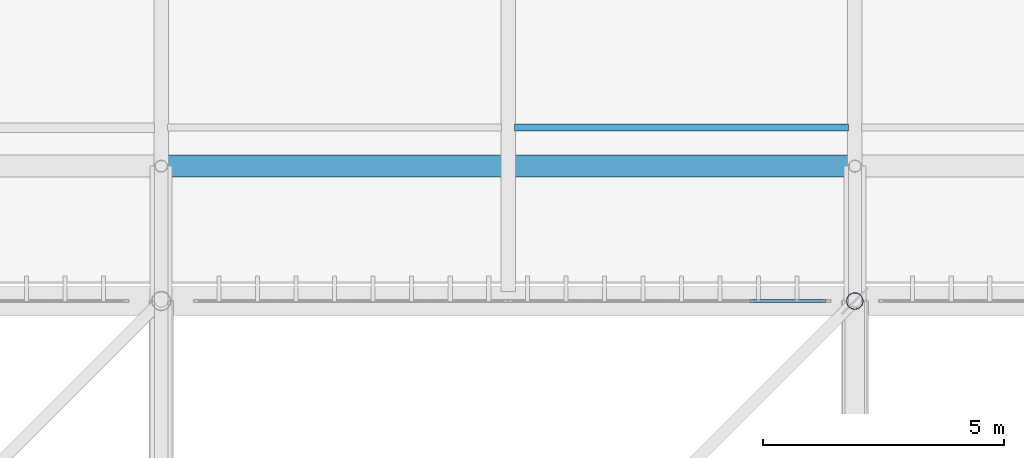
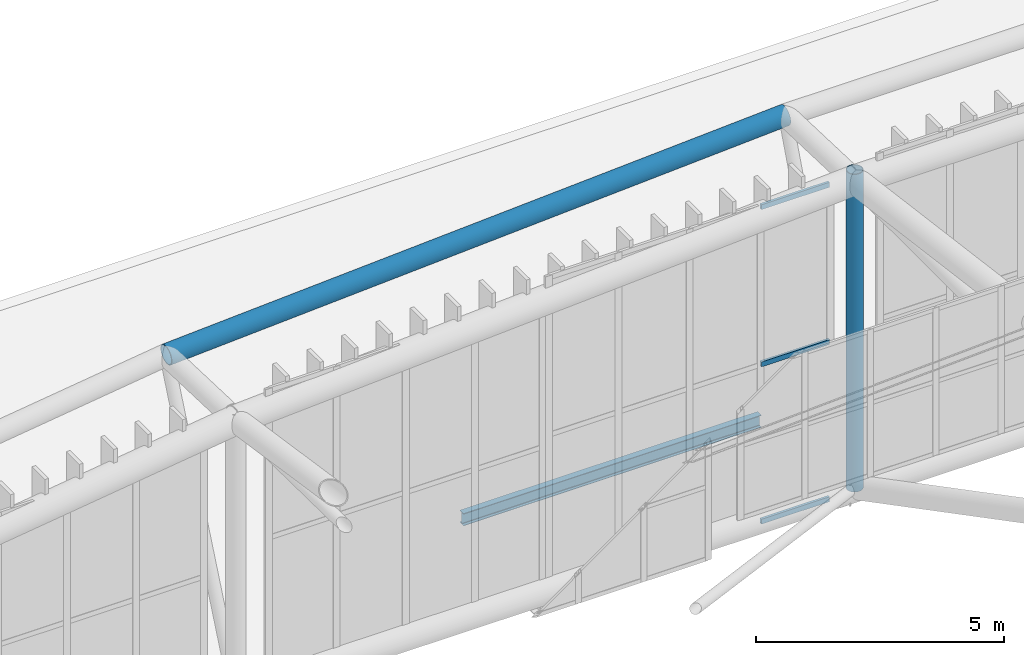
# One storey, part 263 of 397: 4 members, 2 beams, 1 element without a shape of its own.
"""IFC4 building model written with IfcOpenShell, lengths in metres."""

import ifcopenshell
import ifcopenshell.guid

model = None  # the IFC model being written
_history = None  # IfcOwnerHistory: only IFC2X3 demands one
_inside = {}  # id of a spatial element -> (the spatial element, [elements in it])
_under = {}  # id of a project, library or spatial element -> (it, [spatial elements below it])
_declared = {}  # id of a project -> (the project, [libraries it declares])
_typed = {}  # id of a type object -> (the type object, [elements of that type])
_made_of = {}  # id of a material, layer set ... -> (it, [elements and type objects made of it])


def new_model(schema):
    """Start an empty IFC model of exactly this schema.

    Asked for "IFC4X3", IfcOpenShell would pick the latest addendum, in which some entities
    have other attributes; the version numbers below select the first issue.
    IFC2X3 requires an IfcOwnerHistory on every rooted entity: one is made here for all.
    """
    global model, _history
    if schema == "IFC4X3":
        model = ifcopenshell.file(schema_version=(4, 3, 0, 0))
    else:
        model = ifcopenshell.file(schema=schema)
    _inside.clear()
    _under.clear()
    _declared.clear()
    _typed.clear()
    _made_of.clear()
    _history = None
    if model.schema == "IFC2X3":
        org = make("IfcOrganization", Name="unknown")
        user = make(
            "IfcPersonAndOrganization",
            ThePerson=make("IfcPerson", FamilyName="unknown"),
            TheOrganization=org,
        )
        app = make(
            "IfcApplication",
            ApplicationDeveloper=org,
            Version="unknown",
            ApplicationFullName="unknown",
            ApplicationIdentifier="unknown",
        )
        _history = make(
            "IfcOwnerHistory",
            OwningUser=user,
            OwningApplication=app,
            ChangeAction="ADDED",
            CreationDate=0,
        )
    return model


def make(cls, **values):
    """One entity of the class cls with the attributes given. An attribute that is None is left unset."""
    return model.create_entity(
        cls, **{name: value for name, value in values.items() if value is not None}
    )


def rooted(cls, **values):
    """An entity with a GlobalId (a new one), such as an element, a storey or a relation."""
    return make(cls, GlobalId=ifcopenshell.guid.new(), OwnerHistory=_history, **values)


def si_unit(unit_type, name, prefix=None):
    """IfcSIUnit, for example si_unit("LENGTHUNIT", "METRE", prefix="MILLI")."""
    return make("IfcSIUnit", UnitType=unit_type, Prefix=prefix, Name=name)


def assignment(units):
    """IfcUnitAssignment: the units of a project."""
    return None if units is None else make("IfcUnitAssignment", Units=units)


def point(xyz):
    """IfcCartesianPoint."""
    return None if xyz is None else make("IfcCartesianPoint", Coordinates=xyz)


def direction(xyz):
    """IfcDirection."""
    return None if xyz is None else make("IfcDirection", DirectionRatios=xyz)


def frame(location, z_axis=None, x_axis=None):
    """IfcAxis2Placement3D, a coordinate frame: its origin and axes. An axis left out is left unset."""
    return make(
        "IfcAxis2Placement3D",
        Location=point(location),
        Axis=direction(z_axis),
        RefDirection=direction(x_axis),
    )


def frame_2d(location, x_axis=None):
    """IfcAxis2Placement2D, a coordinate frame in the plane: its origin and x axis."""
    return make(
        "IfcAxis2Placement2D", Location=point(location), RefDirection=direction(x_axis)
    )


def origin():
    """The frame at (0, 0, 0) with its axes left unset."""
    return frame((0.0, 0.0, 0.0))


def origin_2d():
    """The frame at (0, 0) in the plane with its x axis left unset."""
    return frame_2d((0.0, 0.0))


def place(relative_to, where):
    """IfcLocalPlacement: puts the frame where relative to a parent placement (None: the world)."""
    return make(
        "IfcLocalPlacement", PlacementRelTo=relative_to, RelativePlacement=where
    )


def context(
    kind, dimensions, precision=None, world=None, true_north=None, identifier=None
):
    """IfcGeometricRepresentationContext, for example the 3D "Model" context."""
    return make(
        "IfcGeometricRepresentationContext",
        ContextIdentifier=identifier,
        ContextType=kind,
        CoordinateSpaceDimension=dimensions,
        Precision=precision,
        WorldCoordinateSystem=world,
        TrueNorth=true_north,
    )


def subcontext(parent, identifier, kind, view, scale=None):
    """IfcGeometricRepresentationSubContext, for example "Body" below "Model"."""
    return make(
        "IfcGeometricRepresentationSubContext",
        ContextIdentifier=identifier,
        ContextType=kind,
        ParentContext=parent,
        TargetScale=scale,
        TargetView=view,
    )


def project(units=None, contexts=None):
    """IfcProject with its units and contexts."""
    return rooted(
        "IfcProject",
        Name="project",
        RepresentationContexts=contexts,
        UnitsInContext=assignment(units),
    )


def spatial(cls, under=None, at=None, **own):
    """A site, building, storey or space (cls), placed at a placement, below another one or the project."""
    s = rooted(cls, ObjectPlacement=at, **own)
    if under is not None:
        _under.setdefault(under.id(), (under, []))[1].append(s)
    return s


def profile(cls, at=None, kind="AREA", **sizes):
    """A parametric profile (cls). Its sizes go by their IFC names, for example OverallWidth=200.0."""
    return make(cls, ProfileType=kind, Position=at, **sizes)


def hollow_rectangle(**sizes):
    """IfcRectangleHollowProfileDef."""
    return profile("IfcRectangleHollowProfileDef", **sizes)


def hollow_circle(**sizes):
    """IfcCircleHollowProfileDef."""
    return profile("IfcCircleHollowProfileDef", **sizes)


def i_section(**sizes):
    """IfcIShapeProfileDef."""
    return profile("IfcIShapeProfileDef", **sizes)


def extrude(swept, where, along, depth):
    """IfcExtrudedAreaSolid: the profile swept, set in the frame where, extruded along a direction by depth."""
    return make(
        "IfcExtrudedAreaSolid",
        SweptArea=swept,
        Position=where,
        ExtrudedDirection=direction(along),
        Depth=depth,
    )


def shape(context_of_items, identifier, shape_type, items):
    """IfcShapeRepresentation: the items that make up one representation, for example the "Body"."""
    return make(
        "IfcShapeRepresentation",
        ContextOfItems=context_of_items,
        RepresentationIdentifier=identifier,
        RepresentationType=shape_type,
        Items=items,
    )


def material(Name=None, Category=None):
    """IfcMaterial."""
    return make("IfcMaterial", Name=Name, Category=Category)


def material_profile(
    of_material, cross_section, Name=None, Category=None, Priority=None
):
    """IfcMaterialProfile: a cross section and its material."""
    return make(
        "IfcMaterialProfile",
        Name=Name,
        Material=of_material,
        Profile=cross_section,
        Priority=Priority,
        Category=Category,
    )


def profile_set(profiles, Name=None, composite=None):
    """IfcMaterialProfileSet."""
    return make(
        "IfcMaterialProfileSet",
        Name=Name,
        MaterialProfiles=profiles,
        CompositeProfile=composite,
    )


def made_of(thing, what):
    """Note that an element or type object is made of a material, layer set ...; save() writes the relation."""
    if what is not None:
        _made_of.setdefault(what.id(), (what, []))[1].append(thing)
    return thing


def type_object(cls, material=None, **own):
    """A type object (cls), such as IfcWallType, which elements share."""
    return made_of(rooted(cls, **own), material)


def element(
    cls,
    number,
    at=None,
    inside=None,
    cuts=None,
    type_object=None,
    material=None,
    context=None,
    identifier="Body",
    shape_type=None,
    held_by="IfcProductDefinitionShape",
    body=None,
    shapes=None,
    **own,
):
    """One element of the class cls, such as IfcWall. Its Tag is "e" and its number.

    at: its placement. inside: the storey or other place that contains it. cuts: it is an
    opening in that element (IfcRelVoidsElement). A single representation is given by context,
    identifier, shape_type and body (its items); several are given by shapes. held_by: the class
    of the entity that holds the representations. save() writes the other relations.
    """
    e = rooted(cls, Tag="e%d" % number, ObjectPlacement=at, **own)
    if body is not None:
        shapes = [shape(context, identifier, shape_type, body)]
    if shapes is not None:
        e.Representation = make(held_by, Representations=shapes)
    if inside is not None:
        _inside.setdefault(inside.id(), (inside, []))[1].append(e)
    if cuts is not None:
        rooted(
            "IfcRelVoidsElement", RelatingBuildingElement=cuts, RelatedOpeningElement=e
        )
    if type_object is not None:
        _typed.setdefault(type_object.id(), (type_object, []))[1].append(e)
    return made_of(e, material)


def aggregate(whole, parts):
    """IfcRelAggregates: a whole, such as a stair, and the parts it consists of."""
    return rooted("IfcRelAggregates", RelatingObject=whole, RelatedObjects=parts)


def save(model, path):
    """Write the relations noted so far, then the file.

    IfcRelAggregates (storeys below a building ...), IfcRelContainedInSpatialStructure (elements
    in a storey), IfcRelDefinesByType, IfcRelAssociatesMaterial and IfcRelDeclares: one each for
    every whole, place, type object, material and project.
    """
    for whole, parts in _under.values():
        aggregate(whole, parts)
    for where, things in _inside.values():
        rooted(
            "IfcRelContainedInSpatialStructure",
            RelatedElements=things,
            RelatingStructure=where,
        )
    for kind, things in _typed.values():
        rooted("IfcRelDefinesByType", RelatedObjects=things, RelatingType=kind)
    for what, things in _made_of.values():
        rooted("IfcRelAssociatesMaterial", RelatedObjects=things, RelatingMaterial=what)
    for by, libraries in _declared.values():
        rooted("IfcRelDeclares", RelatingContext=by, RelatedDefinitions=libraries)
    model.write(path)


model = new_model("IFC4")

# Units and contexts
model_context = context("Model", 3, precision=1e-05, world=origin(), true_north=direction((0.0, 1.0)))
body_context = subcontext(model_context, "Body", "Model", "MODEL_VIEW")
ifc_project = project(units=[si_unit("LENGTHUNIT", "METRE"), si_unit("AREAUNIT", "SQUARE_METRE"), si_unit("VOLUMEUNIT", "CUBIC_METRE"), si_unit("PLANEANGLEUNIT", "RADIAN"), si_unit("MASSUNIT", "GRAM", prefix="KILO")], contexts=[model_context])

# Site, building, storey
site_placement = place(None, origin())
site = spatial("IfcSite", under=ifc_project, at=site_placement, CompositionType="ELEMENT")
building_placement = place(site_placement, origin())
building = spatial("IfcBuilding", under=site, at=building_placement, Name="Qandorah Velis Arena", CompositionType="ELEMENT")
storey_placement = place(building_placement, frame((0.0, 0.0, 27.5)))
storey = spatial("IfcBuildingStorey", under=building, at=storey_placement, Name="RF", CompositionType="ELEMENT", Elevation=27.5)

# Curtain wall, members
ifc_material_1 = material(Name="Solar-control low-E double glazing", Category="glass")
curtain_wall_type = type_object("IfcCurtainWallType", Name="ARC-CW-SYS04", PredefinedType="USERDEFINED", material=ifc_material_1)
curtain_wall_placement = place(storey_placement, origin())
curtain_wall = element("IfcCurtainWall", 1, at=curtain_wall_placement, inside=storey, type_object=curtain_wall_type, Name="Unitised curtain wall CROWN-4-03S2", ObjectType="UNITISED CURTAIN WALL", PredefinedType="USERDEFINED")
ifc_material_2 = material(Name="Champagne-bronze anodized aluminium 6063-T6", Category="aluminium")
ifc_material_profile_1 = material_profile(ifc_material_2, hollow_rectangle(XDim=0.06005859375, YDim=0.1201171875, WallThickness=0.0029296875, at=origin_2d()), Name="ALU TRANSOM 60x120")
ifc_profile_set_1 = profile_set([ifc_material_profile_1], Name="Champagne-bronze anodized aluminium 6063-T6")
member_type_1 = type_object("IfcMemberType", Name="ARC-CWT-120", PredefinedType="USERDEFINED", material=ifc_profile_set_1)
member_1_placement = place(storey_placement, frame((55.41552734375, 115.199951171875, 0.030029296875), z_axis=(1.0, 0.0, 0.0), x_axis=(0.0, 1.0, 0.0)))
member_1 = element("IfcMember", 2, at=member_1_placement, type_object=member_type_1, Name="CW04 transom 4.1", ObjectType="TRANSOM", PredefinedType="USERDEFINED", context=body_context, shape_type="SweptSolid", body=[
    extrude(hollow_rectangle(XDim=0.06005859375, YDim=0.1201171875, WallThickness=0.0029296875, at=origin_2d()), origin(), (0.0, 0.0, 1.0), 1.58642578125),
])
member_2_placement = place(storey_placement, frame((55.41552734375, 115.199951171875, 3.898193359375), z_axis=(1.0, 0.0, 0.0), x_axis=(0.0, 1.0, 0.0)))
member_2 = element("IfcMember", 3, at=member_2_placement, type_object=member_type_1, Name="CW04 transom 4.2", ObjectType="TRANSOM", PredefinedType="USERDEFINED", context=body_context, shape_type="SweptSolid", body=[
    extrude(hollow_rectangle(XDim=0.06005859375, YDim=0.1201171875, WallThickness=0.0029296875, at=origin_2d()), origin(), (0.0, 0.0, 1.0), 1.58642578125),
])
member_3_placement = place(storey_placement, frame((55.41552734375, 115.199951171875, 7.7666015625), z_axis=(1.0, 0.0, 0.0), x_axis=(0.0, 1.0, 0.0)))
member_3 = element("IfcMember", 4, at=member_3_placement, type_object=member_type_1, Name="CW04 transom 4.3", ObjectType="TRANSOM", PredefinedType="USERDEFINED", context=body_context, shape_type="SweptSolid", body=[
    extrude(hollow_rectangle(XDim=0.06005859375, YDim=0.1201171875, WallThickness=0.0029296875, at=origin_2d()), origin(), (0.0, 0.0, 1.0), 1.58642578125),
])
aggregate(curtain_wall, [member_1, member_2, member_3])

# Beams
ifc_material_3 = material(Name="Steel S355", Category="steel")
ifc_material_profile_2 = material_profile(ifc_material_3, i_section(OverallWidth=0.14990234375, OverallDepth=0.300048828125, WebThickness=0.007080078125, FlangeThickness=0.0107421875, FilletRadius=0.014892578125, at=origin_2d()), Name="IPE 300")
ifc_profile_set_2 = profile_set([ifc_material_profile_2], Name="Steel S355")
beam_type_1 = type_object("IfcBeamType", Name="STR-JST-IPE300", PredefinedType="JOIST", material=ifc_profile_set_2)
beam_1_placement = place(storey_placement, frame((50.534912109375, 118.800048828125, -0.3701171875), z_axis=(1.0, 0.0, 0.0), x_axis=(0.0, 1.0, 0.0)))
element("IfcBeam", 5, at=beam_1_placement, inside=storey, type_object=beam_type_1, Name="Secondary floor joist RF-027", PredefinedType="JOIST", context=body_context, shape_type="SweptSolid", body=[
    extrude(i_section(OverallWidth=0.14990234375, OverallDepth=0.300048828125, WebThickness=0.007080078125, FlangeThickness=0.0107421875, FilletRadius=0.014892578125, at=origin_2d()), origin(), (0.0, 0.0, 1.0), 6.93017578125),
])
ifc_material_profile_3 = material_profile(ifc_material_3, hollow_circle(Radius=0.228515625, WallThickness=0.01611328125, at=origin_2d()), Name="CHS 457x16")
ifc_profile_set_3 = profile_set([ifc_material_profile_3], Name="Steel S355")
beam_type_2 = type_object("IfcBeamType", Name="STR-SFC-CHS457X16", PredefinedType="USERDEFINED", material=ifc_profile_set_3)
beam_2_placement = place(storey_placement, frame((43.199951171875, 118.0, 6.69921875), z_axis=(0.998235051333, 0.0, 0.059386718124), x_axis=(0.0, 1.0, 0.0)))
element("IfcBeam", 6, at=beam_2_placement, inside=storey, type_object=beam_type_2, Name="Space frame eave fascia ring N-2", ObjectType="ROOF TRUSS", PredefinedType="USERDEFINED", context=body_context, shape_type="SweptSolid", body=[
    extrude(hollow_circle(Radius=0.228515625, WallThickness=0.01611328125, at=origin_2d()), origin(), (0.0, 0.0, 1.0), 14.425537109375),
])

# Member
ifc_material_profile_4 = material_profile(ifc_material_3, hollow_circle(Radius=0.177734375, WallThickness=0.01611328125, at=origin_2d()), Name="CHS 355.6x16")
ifc_profile_set_4 = profile_set([ifc_material_profile_4], Name="Steel S355")
member_type_2 = type_object("IfcMemberType", Name="STR-SFD-CHS355X16", PredefinedType="STRUT", material=ifc_profile_set_4)
member_4_placement = place(storey_placement, frame((57.60009765625, 115.199951171875, 0.10009765625), z_axis=(0.0, 0.0, 1.0), x_axis=(1.0, 0.0, 0.0)))
element("IfcMember", 7, at=member_4_placement, inside=storey, type_object=member_type_2, Name="Space frame roof vertical post 3.7", PredefinedType="STRUT", context=body_context, shape_type="SweptSolid", body=[
    extrude(hollow_circle(Radius=0.177734375, WallThickness=0.01611328125, at=origin_2d()), origin(), (0.0, 0.0, 1.0), 7.815673828125),
])

save(model, "model.ifc")
